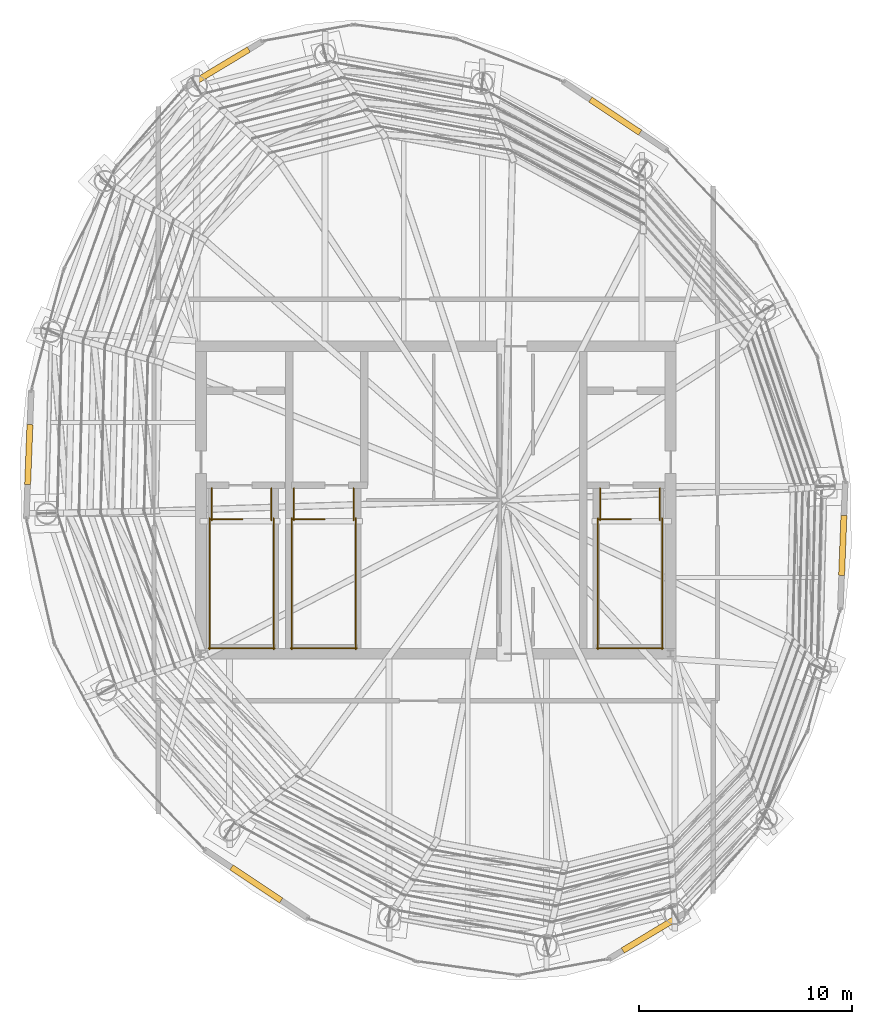
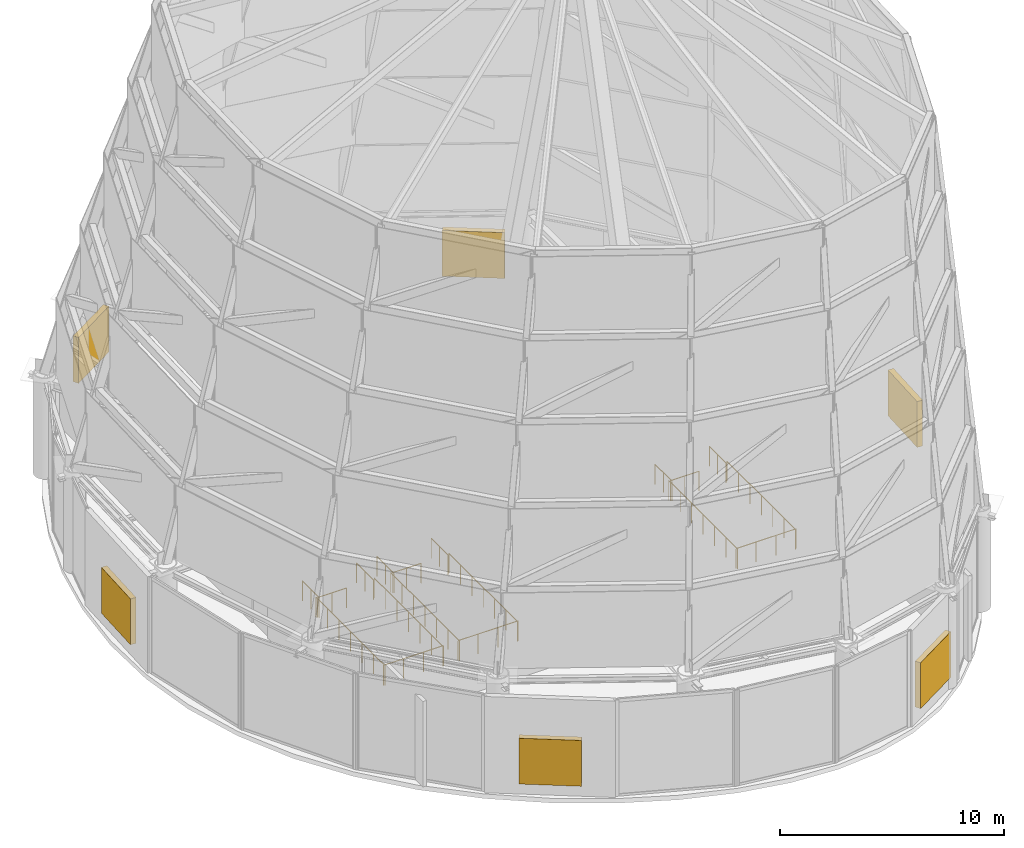
# One storey, part 40 of 40: 18 railings, 6 shading devices.
"""IFC4 building model written with IfcOpenShell, lengths in metres."""

from ifc_helpers import new_model, si_unit, direction, frame, origin, origin_2d, place, context, subcontext, project, spatial, rectangle, circle, extrude, material, type_object, element, save


model = new_model("IFC4")

# Units and contexts
model_context = context("Model", 3, precision=1e-05, world=origin(), true_north=direction((0.0, 1.0)))
body_context = subcontext(model_context, "Body", "Model", "MODEL_VIEW")
ifc_project = project(units=[si_unit("LENGTHUNIT", "METRE"), si_unit("AREAUNIT", "SQUARE_METRE"), si_unit("VOLUMEUNIT", "CUBIC_METRE"), si_unit("PLANEANGLEUNIT", "RADIAN"), si_unit("MASSUNIT", "GRAM", prefix="KILO")], contexts=[model_context])

# Site, building, storey
site_placement = place(None, origin())
site = spatial("IfcSite", under=ifc_project, at=site_placement, CompositionType="ELEMENT")
building_placement = place(site_placement, origin())
building = spatial("IfcBuilding", under=site, at=building_placement, Name="Bramvorn Convention Spire", CompositionType="ELEMENT")
storey_placement = place(building_placement, frame((0.0, 0.0, 312.5)))
storey = spatial("IfcBuildingStorey", under=building, at=storey_placement, Name="L79", CompositionType="ELEMENT", Elevation=312.5)

# Railings
ifc_material_1 = material(Name="Painted Steel Balustrade & Guardrail", Category="steel")
railing_type = type_object("IfcRailingType", Name="RL-STAIR-GUARD-1100", PredefinedType="GUARDRAIL", material=ifc_material_1)
railing_1_placement = place(storey_placement, frame((27.449951171875, 25.10009765625, 0.0)))
element("IfcRailing", 1, at=railing_1_placement, inside=storey, type_object=railing_type, Name="L79 ST1 top well guard 1", PredefinedType="GUARDRAIL", context=body_context, shape_type="SweptSolid", body=[
    extrude(circle(Radius=0.02392578125, at=origin_2d()), frame((0.0, 0.0, 1.076171875), z_axis=(1.0, 0.0, 0.0), x_axis=(0.0, 1.0, 0.0)), (0.0, 0.0, 1.0), 1.489990234375),
    extrude(circle(Radius=0.02099609375, at=origin_2d()), origin(), (0.0, 0.0, 1.0), 1.052001953125),
    extrude(circle(Radius=0.02099609375, at=origin_2d()), frame((0.7451171875, 0.0, 0.0)), (0.0, 0.0, 1.0), 1.052001953125),
    extrude(circle(Radius=0.02099609375, at=origin_2d()), frame((1.489990234375, 0.0, 0.0)), (0.0, 0.0, 1.0), 1.052001953125),
])
for number, where, name in (
    (2, (27.39990234375, 25.14990234375, 0.0), "L79 ST1 top well guard 2"),
    (3, (30.39990234375, 25.14990234375, 0.0), "L79 ST1 top well guard 3"),
):
    element("IfcRailing", number, at=place(storey_placement, frame(where)), inside=storey, type_object=railing_type, Name=name, PredefinedType="GUARDRAIL", context=body_context, shape_type="SweptSolid", body=[
        extrude(circle(Radius=0.02392578125, at=origin_2d()), frame((0.0, 0.0, 1.076171875), z_axis=(0.0, -1.0, 0.0), x_axis=(1.0, 0.0, 0.0)), (0.0, 0.0, 1.0), 6.14990234375),
        extrude(circle(Radius=0.02099609375, at=origin_2d()), origin(), (0.0, 0.0, 1.0), 1.052001953125),
        extrude(circle(Radius=0.02099609375, at=origin_2d()), frame((0.0, -1.02490234375, 0.0)), (0.0, 0.0, 1.0), 1.052001953125),
        extrude(circle(Radius=0.02099609375, at=origin_2d()), frame((0.0, -2.050048828125, 0.0)), (0.0, 0.0, 1.0), 1.052001953125),
        extrude(circle(Radius=0.02099609375, at=origin_2d()), frame((0.0, -3.074951171875, 0.0)), (0.0, 0.0, 1.0), 1.052001953125),
        extrude(circle(Radius=0.02099609375, at=origin_2d()), frame((0.0, -4.099853515625, 0.0)), (0.0, 0.0, 1.0), 1.052001953125),
        extrude(circle(Radius=0.02099609375, at=origin_2d()), frame((0.0, -5.125, 0.0)), (0.0, 0.0, 1.0), 1.052001953125),
        extrude(circle(Radius=0.02099609375, at=origin_2d()), frame((0.0, -6.14990234375, 0.0)), (0.0, 0.0, 1.0), 1.052001953125),
    ])
railing_2_placement = place(storey_placement, frame((27.35009765625, 19.050048828125, 0.0)))
element("IfcRailing", 4, at=railing_2_placement, inside=storey, type_object=railing_type, Name="L79 ST1 top well guard 4", PredefinedType="GUARDRAIL", context=body_context, shape_type="SweptSolid", body=[
    extrude(circle(Radius=0.02392578125, at=origin_2d()), frame((0.0, 0.0, 1.076171875), z_axis=(1.0, 0.0, 0.0), x_axis=(0.0, 1.0, 0.0)), (0.0, 0.0, 1.0), 3.099853515625),
    extrude(circle(Radius=0.02099609375, at=origin_2d()), origin(), (0.0, 0.0, 1.0), 1.052001953125),
    extrude(circle(Radius=0.02099609375, at=origin_2d()), frame((1.033203125, 0.0, 0.0)), (0.0, 0.0, 1.0), 1.052001953125),
    extrude(circle(Radius=0.02099609375, at=origin_2d()), frame((2.066650390625, 0.0, 0.0)), (0.0, 0.0, 1.0), 1.052001953125),
    extrude(circle(Radius=0.02099609375, at=origin_2d()), frame((3.099853515625, 0.0, 0.0)), (0.0, 0.0, 1.0), 1.052001953125),
])
for number, where, name in (
    (5, (27.5, 26.550048828125, 0.0), "L79 ST1 top well guard 5"),
    (6, (30.300048828125, 26.550048828125, 0.0), "L79 ST1 top well guard 6"),
):
    element("IfcRailing", number, at=place(storey_placement, frame(where)), inside=storey, type_object=railing_type, Name=name, PredefinedType="GUARDRAIL", context=body_context, shape_type="SweptSolid", body=[
        extrude(circle(Radius=0.02392578125, at=origin_2d()), frame((0.0, 0.0, 1.076171875), z_axis=(0.0, -1.0, 0.0), x_axis=(1.0, 0.0, 0.0)), (0.0, 0.0, 1.0), 1.5),
        extrude(circle(Radius=0.02099609375, at=origin_2d()), origin(), (0.0, 0.0, 1.0), 1.052001953125),
        extrude(circle(Radius=0.02099609375, at=origin_2d()), frame((0.0, -0.75, 0.0)), (0.0, 0.0, 1.0), 1.052001953125),
        extrude(circle(Radius=0.02099609375, at=origin_2d()), frame((0.0, -1.5, 0.0)), (0.0, 0.0, 1.0), 1.052001953125),
    ])
railing_3_placement = place(storey_placement, frame((45.64990234375, 25.10009765625, 0.0)))
element("IfcRailing", 7, at=railing_3_placement, inside=storey, type_object=railing_type, Name="L79 ST2 top well guard 1", PredefinedType="GUARDRAIL", context=body_context, shape_type="SweptSolid", body=[
    extrude(circle(Radius=0.02392578125, at=origin_2d()), frame((0.0, 0.0, 1.076171875), z_axis=(1.0, 0.0, 0.0), x_axis=(0.0, 1.0, 0.0)), (0.0, 0.0, 1.0), 1.489990234375),
    extrude(circle(Radius=0.02099609375, at=origin_2d()), origin(), (0.0, 0.0, 1.0), 1.052001953125),
    extrude(circle(Radius=0.02099609375, at=origin_2d()), frame((0.7451171875, 0.0, 0.0)), (0.0, 0.0, 1.0), 1.052001953125),
    extrude(circle(Radius=0.02099609375, at=origin_2d()), frame((1.489990234375, 0.0, 0.0)), (0.0, 0.0, 1.0), 1.052001953125),
])
for number, where, name in (
    (8, (45.60009765625, 25.14990234375, 0.0), "L79 ST2 top well guard 2"),
    (9, (48.60009765625, 25.14990234375, 0.0), "L79 ST2 top well guard 3"),
):
    element("IfcRailing", number, at=place(storey_placement, frame(where)), inside=storey, type_object=railing_type, Name=name, PredefinedType="GUARDRAIL", context=body_context, shape_type="SweptSolid", body=[
        extrude(circle(Radius=0.02392578125, at=origin_2d()), frame((0.0, 0.0, 1.076171875), z_axis=(0.0, -1.0, 0.0), x_axis=(1.0, 0.0, 0.0)), (0.0, 0.0, 1.0), 6.14990234375),
        extrude(circle(Radius=0.02099609375, at=origin_2d()), origin(), (0.0, 0.0, 1.0), 1.052001953125),
        extrude(circle(Radius=0.02099609375, at=origin_2d()), frame((0.0, -1.02490234375, 0.0)), (0.0, 0.0, 1.0), 1.052001953125),
        extrude(circle(Radius=0.02099609375, at=origin_2d()), frame((0.0, -2.050048828125, 0.0)), (0.0, 0.0, 1.0), 1.052001953125),
        extrude(circle(Radius=0.02099609375, at=origin_2d()), frame((0.0, -3.074951171875, 0.0)), (0.0, 0.0, 1.0), 1.052001953125),
        extrude(circle(Radius=0.02099609375, at=origin_2d()), frame((0.0, -4.099853515625, 0.0)), (0.0, 0.0, 1.0), 1.052001953125),
        extrude(circle(Radius=0.02099609375, at=origin_2d()), frame((0.0, -5.125, 0.0)), (0.0, 0.0, 1.0), 1.052001953125),
        extrude(circle(Radius=0.02099609375, at=origin_2d()), frame((0.0, -6.14990234375, 0.0)), (0.0, 0.0, 1.0), 1.052001953125),
    ])
railing_4_placement = place(storey_placement, frame((45.550048828125, 19.050048828125, 0.0)))
element("IfcRailing", 10, at=railing_4_placement, inside=storey, type_object=railing_type, Name="L79 ST2 top well guard 4", PredefinedType="GUARDRAIL", context=body_context, shape_type="SweptSolid", body=[
    extrude(circle(Radius=0.02392578125, at=origin_2d()), frame((0.0, 0.0, 1.076171875), z_axis=(1.0, 0.0, 0.0), x_axis=(0.0, 1.0, 0.0)), (0.0, 0.0, 1.0), 3.099853515625),
    extrude(circle(Radius=0.02099609375, at=origin_2d()), origin(), (0.0, 0.0, 1.0), 1.052001953125),
    extrude(circle(Radius=0.02099609375, at=origin_2d()), frame((1.033203125, 0.0, 0.0)), (0.0, 0.0, 1.0), 1.052001953125),
    extrude(circle(Radius=0.02099609375, at=origin_2d()), frame((2.066650390625, 0.0, 0.0)), (0.0, 0.0, 1.0), 1.052001953125),
    extrude(circle(Radius=0.02099609375, at=origin_2d()), frame((3.099853515625, 0.0, 0.0)), (0.0, 0.0, 1.0), 1.052001953125),
])
for number, where, name in (
    (11, (45.699951171875, 26.550048828125, 0.0), "L79 ST2 top well guard 5"),
    (12, (48.5, 26.550048828125, 0.0), "L79 ST2 top well guard 6"),
):
    element("IfcRailing", number, at=place(storey_placement, frame(where)), inside=storey, type_object=railing_type, Name=name, PredefinedType="GUARDRAIL", context=body_context, shape_type="SweptSolid", body=[
        extrude(circle(Radius=0.02392578125, at=origin_2d()), frame((0.0, 0.0, 1.076171875), z_axis=(0.0, -1.0, 0.0), x_axis=(1.0, 0.0, 0.0)), (0.0, 0.0, 1.0), 1.5),
        extrude(circle(Radius=0.02099609375, at=origin_2d()), origin(), (0.0, 0.0, 1.0), 1.052001953125),
        extrude(circle(Radius=0.02099609375, at=origin_2d()), frame((0.0, -0.75, 0.0)), (0.0, 0.0, 1.0), 1.052001953125),
        extrude(circle(Radius=0.02099609375, at=origin_2d()), frame((0.0, -1.5, 0.0)), (0.0, 0.0, 1.0), 1.052001953125),
    ])
railing_5_placement = place(storey_placement, frame((31.300048828125, 25.10009765625, 0.0)))
element("IfcRailing", 13, at=railing_5_placement, inside=storey, type_object=railing_type, Name="L79 ST3 top well guard 1", PredefinedType="GUARDRAIL", context=body_context, shape_type="SweptSolid", body=[
    extrude(circle(Radius=0.02392578125, at=origin_2d()), frame((0.0, 0.0, 1.076171875), z_axis=(1.0, 0.0, 0.0), x_axis=(0.0, 1.0, 0.0)), (0.0, 0.0, 1.0), 1.489990234375),
    extrude(circle(Radius=0.02099609375, at=origin_2d()), origin(), (0.0, 0.0, 1.0), 1.052001953125),
    extrude(circle(Radius=0.02099609375, at=origin_2d()), frame((0.7451171875, 0.0, 0.0)), (0.0, 0.0, 1.0), 1.052001953125),
    extrude(circle(Radius=0.02099609375, at=origin_2d()), frame((1.489990234375, 0.0, 0.0)), (0.0, 0.0, 1.0), 1.052001953125),
])
for number, where, name in (
    (14, (31.25, 25.14990234375, 0.0), "L79 ST3 top well guard 2"),
    (15, (34.25, 25.14990234375, 0.0), "L79 ST3 top well guard 3"),
):
    element("IfcRailing", number, at=place(storey_placement, frame(where)), inside=storey, type_object=railing_type, Name=name, PredefinedType="GUARDRAIL", context=body_context, shape_type="SweptSolid", body=[
        extrude(circle(Radius=0.02392578125, at=origin_2d()), frame((0.0, 0.0, 1.076171875), z_axis=(0.0, -1.0, 0.0), x_axis=(1.0, 0.0, 0.0)), (0.0, 0.0, 1.0), 6.14990234375),
        extrude(circle(Radius=0.02099609375, at=origin_2d()), origin(), (0.0, 0.0, 1.0), 1.052001953125),
        extrude(circle(Radius=0.02099609375, at=origin_2d()), frame((0.0, -1.02490234375, 0.0)), (0.0, 0.0, 1.0), 1.052001953125),
        extrude(circle(Radius=0.02099609375, at=origin_2d()), frame((0.0, -2.050048828125, 0.0)), (0.0, 0.0, 1.0), 1.052001953125),
        extrude(circle(Radius=0.02099609375, at=origin_2d()), frame((0.0, -3.074951171875, 0.0)), (0.0, 0.0, 1.0), 1.052001953125),
        extrude(circle(Radius=0.02099609375, at=origin_2d()), frame((0.0, -4.099853515625, 0.0)), (0.0, 0.0, 1.0), 1.052001953125),
        extrude(circle(Radius=0.02099609375, at=origin_2d()), frame((0.0, -5.125, 0.0)), (0.0, 0.0, 1.0), 1.052001953125),
        extrude(circle(Radius=0.02099609375, at=origin_2d()), frame((0.0, -6.14990234375, 0.0)), (0.0, 0.0, 1.0), 1.052001953125),
    ])
railing_6_placement = place(storey_placement, frame((31.199951171875, 19.050048828125, 0.0)))
element("IfcRailing", 16, at=railing_6_placement, inside=storey, type_object=railing_type, Name="L79 ST3 top well guard 4", PredefinedType="GUARDRAIL", context=body_context, shape_type="SweptSolid", body=[
    extrude(circle(Radius=0.02392578125, at=origin_2d()), frame((0.0, 0.0, 1.076171875), z_axis=(1.0, 0.0, 0.0), x_axis=(0.0, 1.0, 0.0)), (0.0, 0.0, 1.0), 3.10009765625),
    extrude(circle(Radius=0.02099609375, at=origin_2d()), origin(), (0.0, 0.0, 1.0), 1.052001953125),
    extrude(circle(Radius=0.02099609375, at=origin_2d()), frame((1.033447265625, 0.0, 0.0)), (0.0, 0.0, 1.0), 1.052001953125),
    extrude(circle(Radius=0.02099609375, at=origin_2d()), frame((2.066650390625, 0.0, 0.0)), (0.0, 0.0, 1.0), 1.052001953125),
    extrude(circle(Radius=0.02099609375, at=origin_2d()), frame((3.10009765625, 0.0, 0.0)), (0.0, 0.0, 1.0), 1.052001953125),
])
for number, where, name in (
    (17, (31.35009765625, 26.550048828125, 0.0), "L79 ST3 top well guard 5"),
    (18, (34.14990234375, 26.550048828125, 0.0), "L79 ST3 top well guard 6"),
):
    element("IfcRailing", number, at=place(storey_placement, frame(where)), inside=storey, type_object=railing_type, Name=name, PredefinedType="GUARDRAIL", context=body_context, shape_type="SweptSolid", body=[
        extrude(circle(Radius=0.02392578125, at=origin_2d()), frame((0.0, 0.0, 1.076171875), z_axis=(0.0, -1.0, 0.0), x_axis=(1.0, 0.0, 0.0)), (0.0, 0.0, 1.0), 1.5),
        extrude(circle(Radius=0.02099609375, at=origin_2d()), origin(), (0.0, 0.0, 1.0), 1.052001953125),
        extrude(circle(Radius=0.02099609375, at=origin_2d()), frame((0.0, -0.75, 0.0)), (0.0, 0.0, 1.0), 1.052001953125),
        extrude(circle(Radius=0.02099609375, at=origin_2d()), frame((0.0, -1.5, 0.0)), (0.0, 0.0, 1.0), 1.052001953125),
    ])

# Shading devices
ifc_material_2 = material(Name="Acoustic Storm-Proof Anodised Bronze Aluminium Louvre", Category="aluminium")
shading_device_type = type_object("IfcShadingDeviceType", Name="SHD-LOUVRE-PLANT", PredefinedType="JALOUSIE", material=ifc_material_2)
for number, where, z_axis, x_axis, name in (
    (19, (47.958740234375, 5.61376953125, 0.550048828125), (0.0, 0.0, 1.0), (-0.856550102557, -0.516063873769, 0.0), "L79 plant intake/exhaust acoustic louvre 01"),
    (20, (57.06884765625, 23.869140625, 0.550048828125), (0.0, 0.0, 1.0), (-0.038604238176, -0.999254578571, 0.0), "L79 plant intake/exhaust acoustic louvre 05"),
    (21, (46.408447265625, 43.99072265625, 0.550048828125), (0.0, 0.0, 1.0), (0.832608889023, -0.553861388724, 0.0), "L79 plant intake/exhaust acoustic louvre 09"),
    (22, (28.041259765625, 46.38623046875, 0.550048828125), (0.0, 0.0, 1.0), (0.856550102557, 0.516063873769, 0.0), "L79 plant intake/exhaust acoustic louvre 13"),
    (23, (18.93115234375, 28.130859375, 0.550048828125), (0.0, 0.0, 1.0), (0.038604238176, 0.999254578571, 0.0), "L79 plant intake/exhaust acoustic louvre 17"),
    (24, (29.591552734375, 8.00927734375, 0.550048828125), (0.0, 0.0, 1.0), (-0.832608889023, 0.553861388724, 0.0), "L79 plant intake/exhaust acoustic louvre 21"),
):
    element("IfcShadingDevice", number, at=place(storey_placement, frame(where, z_axis=z_axis, x_axis=x_axis)), inside=storey, type_object=shading_device_type, Name=name, PredefinedType="JALOUSIE", context=body_context, shape_type="SweptSolid", body=[
        extrude(rectangle(XDim=2.800048828125, YDim=0.280029296875, at=origin_2d()), origin(), (0.0, 0.0, 1.0), 2.5),
    ])

save(model, "model.ifc")
